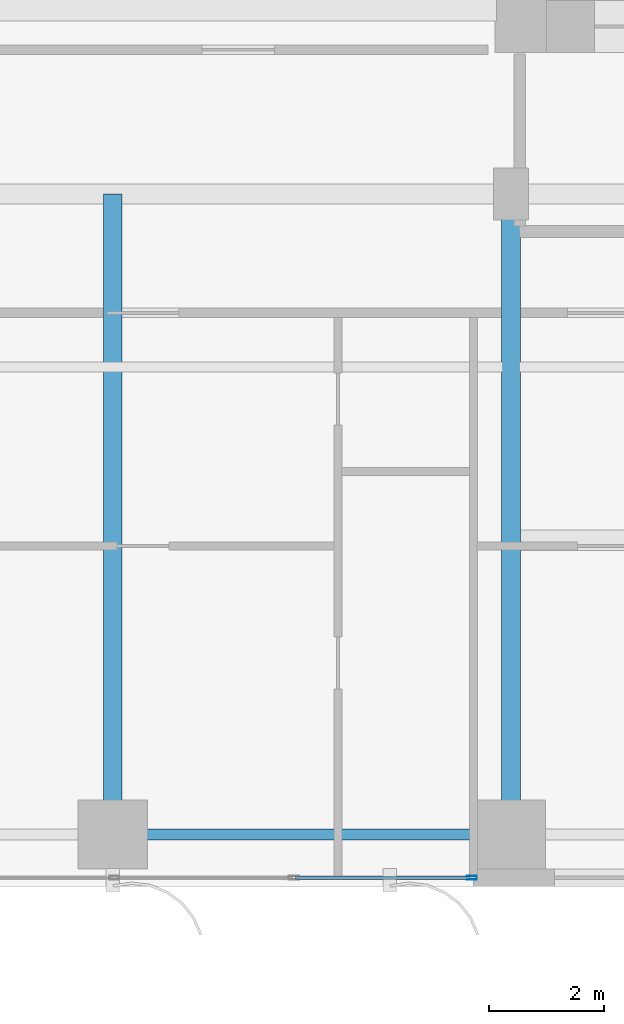
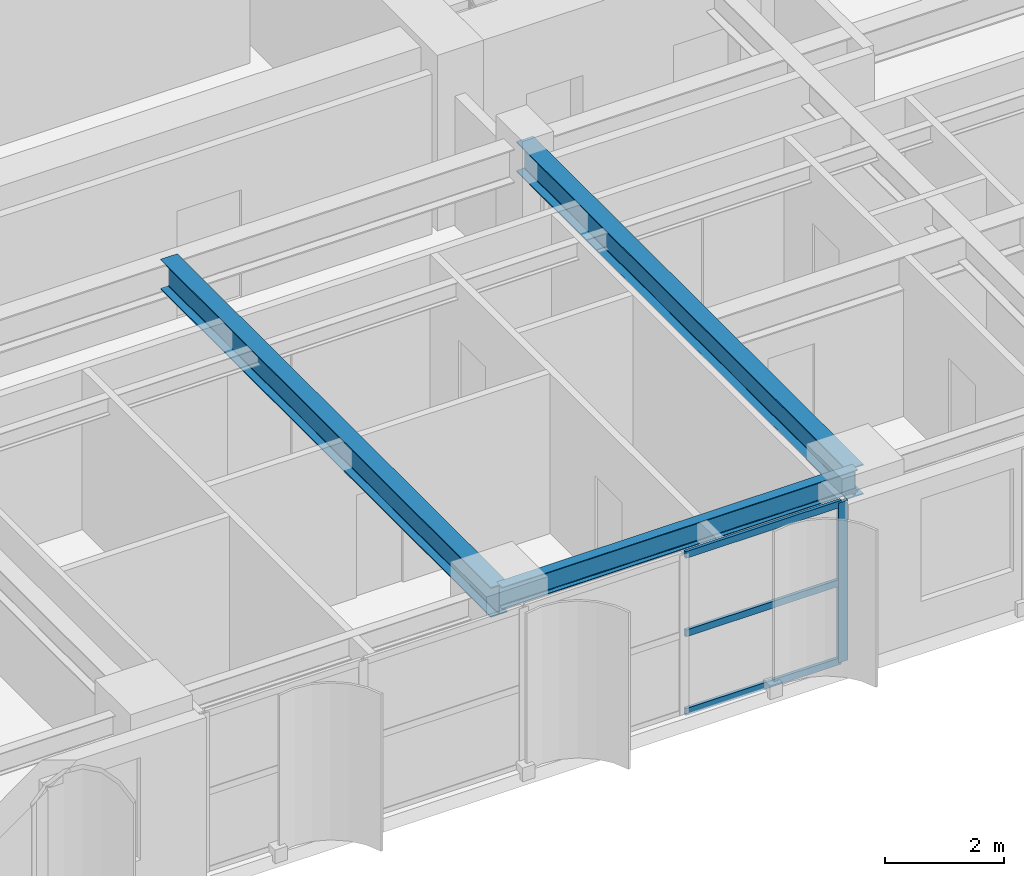
# One storey, part 3 of 23: 4 members, 3 beams, 1 element without a shape of its own.
"""IFC4 building model written with IfcOpenShell, lengths in metres."""

from ifc_helpers import new_model, si_unit, direction, frame, origin, origin_2d, place, context, subcontext, project, spatial, hollow_rectangle, i_section, extrude, source, transform, mapped, material, layer, layer_set, material_profile, profile_set, type_object, element, aggregate, save


model = new_model("IFC4")

# Units and contexts
model_context = context("Model", 3, precision=1e-05, world=origin(), true_north=direction((0.0, 1.0)))
body_context = subcontext(model_context, "Body", "Model", "MODEL_VIEW")
ifc_project = project(units=[si_unit("LENGTHUNIT", "METRE"), si_unit("AREAUNIT", "SQUARE_METRE"), si_unit("VOLUMEUNIT", "CUBIC_METRE"), si_unit("PLANEANGLEUNIT", "RADIAN"), si_unit("MASSUNIT", "GRAM", prefix="KILO")], contexts=[model_context])

# Site, building, storey
site_placement = place(None, origin())
site = spatial("IfcSite", under=ifc_project, at=site_placement, CompositionType="ELEMENT")
building_placement = place(site_placement, origin())
building = spatial("IfcBuilding", under=site, at=building_placement, Name="Khoralis Quay Care Tower", CompositionType="ELEMENT")
storey_placement = place(building_placement, frame((0.0, 0.0, 72.89990234375)))
storey = spatial("IfcBuildingStorey", under=building, at=storey_placement, Name="L19", CompositionType="ELEMENT", Elevation=72.89990234375)

# Beams
ifc_material_1 = material(Name="Steel S355", Category="steel")
ifc_material_profile_1 = material_profile(ifc_material_1, i_section(OverallWidth=0.18994140625, OverallDepth=0.449951171875, WebThickness=0.009521484375, FlangeThickness=0.0146484375, FilletRadius=0.02099609375, at=origin_2d()), Name="Steel S355")
ifc_profile_set_1 = profile_set([ifc_material_profile_1], Name="Steel S355")
beam_type_1 = type_object("IfcBeamType", Name="BM-IPE450", PredefinedType="SPANDREL", material=ifc_profile_set_1)
shared_shape_1 = source(origin(), body_context, "Body", "SweptSolid", [
    extrude(i_section(OverallWidth=0.18994140625, OverallDepth=0.449951171875, WebThickness=0.009521484375, FlangeThickness=0.0146484375, FilletRadius=0.02099609375, at=origin_2d()), origin(), (0.0, 0.0, 1.0), 6.89990234375),
])
beam_placement = place(storey_placement, frame((24.0, 0.89990234375, 3.05517578125), z_axis=(1.0, 0.0, 0.0), x_axis=(0.0, 1.0, 0.0)))
element("IfcBeam", 1, at=beam_placement, inside=storey, type_object=beam_type_1, Name="BM-TSP-L19-04", PredefinedType="SPANDREL", context=body_context, shape_type="MappedRepresentation", body=[
    mapped(shared_shape_1, transform((0.0, 0.0, 0.0), scale=1.0)),
])
ifc_material_profile_2 = material_profile(ifc_material_1, i_section(OverallWidth=0.324951171875, OverallDepth=0.615966796875, WebThickness=0.013916015625, FlangeThickness=0.021484375, FilletRadius=0.01806640625, at=origin_2d()), Name="Steel S355")
ifc_profile_set_2 = profile_set([ifc_material_profile_2], Name="Steel S355")
beam_type_2 = type_object("IfcBeamType", Name="BM-W610X174", PredefinedType="BEAM", material=ifc_profile_set_2)
shared_shape_2 = source(origin(), body_context, "Body", "SweptSolid", [
    extrude(i_section(OverallWidth=0.324951171875, OverallDepth=0.615966796875, WebThickness=0.013916015625, FlangeThickness=0.021484375, FilletRadius=0.01806640625, at=origin_2d()), origin(), (0.0, 0.0, 1.0), 11.10009765625),
])
for number, where, z_axis, x_axis, name in (
    (2, (24.0, 0.89990234375, 2.97216796875), (0.0, 1.0, 0.0), (-1.0, 0.0, 0.0), "BM-TGYS-L19-240"),
    (3, (30.89990234375, 0.89990234375, 2.97216796875), (0.0, 1.0, 0.0), (-1.0, 0.0, 0.0), "BM-TGYS-L19-309"),
):
    element("IfcBeam", number, at=place(storey_placement, frame(where, z_axis=z_axis, x_axis=x_axis)), inside=storey, type_object=beam_type_2, Name=name, PredefinedType="BEAM", context=body_context, shape_type="MappedRepresentation", body=[
        mapped(shared_shape_2, transform((0.0, 0.0, 0.0), scale=1.0)),
    ])

# Curtain wall, members
ifc_material_2 = material(Name="Pale anodised aluminium", Category="aluminium")
ifc_layer = layer(ifc_material_2, 0.179931640625)
ifc_layer_set = layer_set([ifc_layer], Name="Pale anodised aluminium")
curtain_wall_type = type_object("IfcCurtainWallType", Name="CW-SYS-Z1", PredefinedType="NOTDEFINED", material=ifc_layer_set)
curtain_wall_placement = place(storey_placement, origin())
curtain_wall = element("IfcCurtainWall", 4, at=curtain_wall_placement, inside=storey, type_object=curtain_wall_type, Name="L19 Unitised Curtain Wall CW-L19-P1-E0", PredefinedType="NOTDEFINED")
ifc_material_profile_3 = material_profile(ifc_material_2, hollow_rectangle(XDim=0.06494140625, YDim=0.179931640625, WallThickness=0.00390625, at=origin_2d()), Name="Pale anodised aluminium")
ifc_profile_set_3 = profile_set([ifc_material_profile_3], Name="Pale anodised aluminium")
member_type_1 = type_object("IfcMemberType", Name="CW-MUL-180", PredefinedType="MULLION", material=ifc_profile_set_3)
shared_shape_3 = source(origin(), body_context, "Body", "SweptSolid", [
    extrude(hollow_rectangle(XDim=0.06494140625, YDim=0.179931640625, WallThickness=0.00390625, at=origin_2d()), origin(), (0.0, 0.0, 1.0), 3.280029296875),
])
member_1_placement = place(storey_placement, frame((30.219970703125, 0.14990234375, 0.0), z_axis=(0.0, 0.0, 1.0), x_axis=(0.0, 1.0, 0.0)))
member_1 = element("IfcMember", 5, at=member_1_placement, type_object=member_type_1, Name="CW1 mullion 5", PredefinedType="MULLION", context=body_context, shape_type="MappedRepresentation", body=[
    mapped(shared_shape_3, transform((0.0, 0.0, 0.0), scale=1.0)),
])
ifc_material_profile_4 = material_profile(ifc_material_2, hollow_rectangle(XDim=0.06005859375, YDim=0.139892578125, WallThickness=0.00390625, at=origin_2d()), Name="Pale anodised aluminium")
ifc_profile_set_4 = profile_set([ifc_material_profile_4], Name="Pale anodised aluminium")
member_type_2 = type_object("IfcMemberType", Name="CW-TRN-140", PredefinedType="USERDEFINED", material=ifc_profile_set_4)
shared_shape_4 = source(origin(), body_context, "Body", "SweptSolid", [
    extrude(hollow_rectangle(XDim=0.06005859375, YDim=0.139892578125, WallThickness=0.00390625, at=origin_2d()), origin(), (0.0, 0.0, 1.0), 3.02197265625),
])
member_2_placement = place(storey_placement, frame((27.16796875, 0.14990234375, 0.030029296875), z_axis=(1.0, 0.0, 0.0), x_axis=(0.0, 1.0, 0.0)))
member_2 = element("IfcMember", 6, at=member_2_placement, type_object=member_type_2, Name="CW1 transom 4.1", ObjectType="TRANSOM", PredefinedType="USERDEFINED", context=body_context, shape_type="MappedRepresentation", body=[
    mapped(shared_shape_4, transform((0.0, 0.0, 0.0), scale=1.0)),
])
member_3_placement = place(storey_placement, frame((27.16796875, 0.14990234375, 1.64013671875), z_axis=(1.0, 0.0, 0.0), x_axis=(0.0, 1.0, 0.0)))
member_3 = element("IfcMember", 7, at=member_3_placement, type_object=member_type_2, Name="CW1 transom 4.2", ObjectType="TRANSOM", PredefinedType="USERDEFINED", context=body_context, shape_type="MappedRepresentation", body=[
    mapped(shared_shape_4, transform((0.0, 0.0, 0.0), scale=1.0)),
])
member_4_placement = place(storey_placement, frame((27.16796875, 0.14990234375, 3.25), z_axis=(1.0, 0.0, 0.0), x_axis=(0.0, 1.0, 0.0)))
member_4 = element("IfcMember", 8, at=member_4_placement, type_object=member_type_2, Name="CW1 transom 4.3", ObjectType="TRANSOM", PredefinedType="USERDEFINED", context=body_context, shape_type="MappedRepresentation", body=[
    mapped(shared_shape_4, transform((0.0, 0.0, 0.0), scale=1.0)),
])
aggregate(curtain_wall, [member_1, member_2, member_3, member_4])

save(model, "model.ifc")
